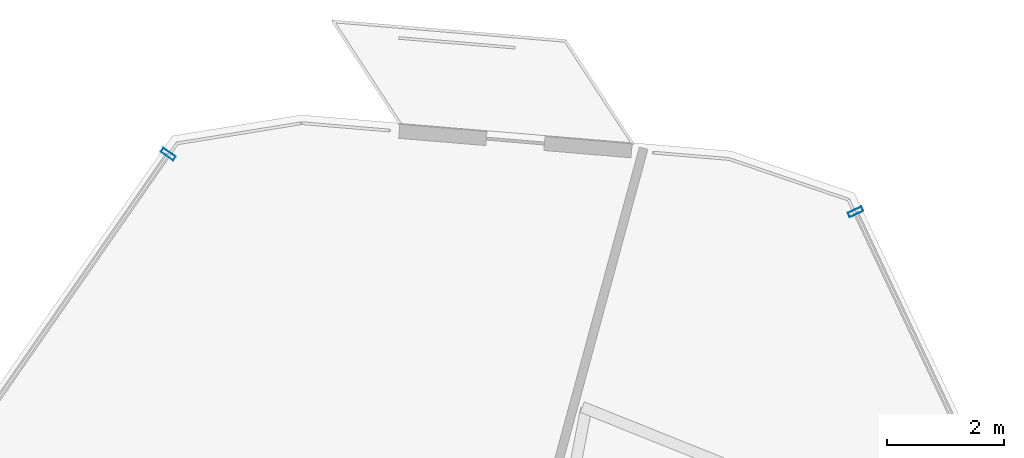
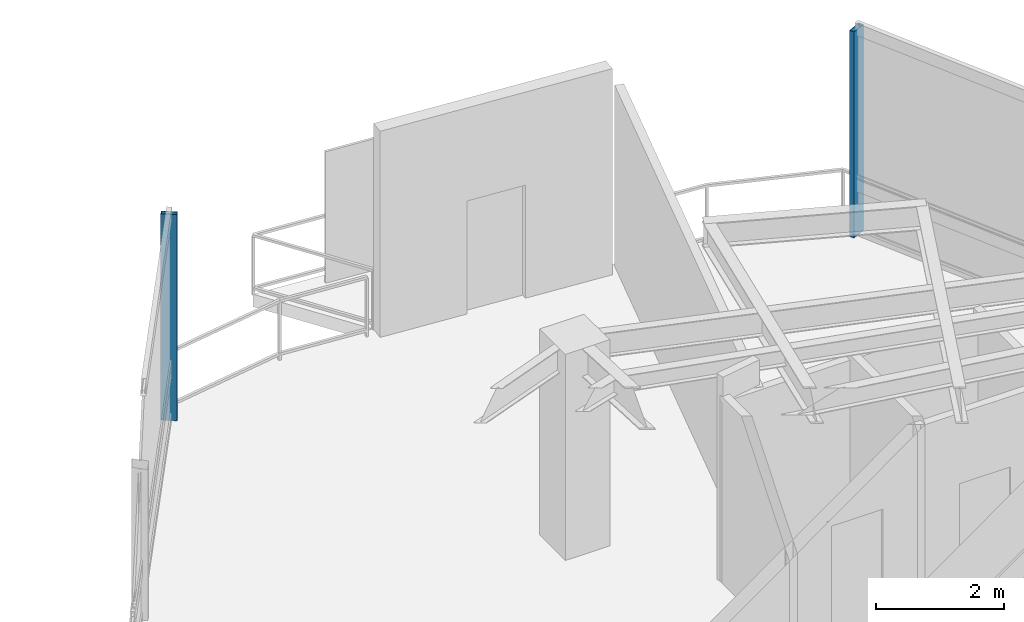
# One storey, part 13 of 19: 2 members, 2 elements without a shape of their own.
"""IFC4 building model written with IfcOpenShell, lengths in metres."""

from ifc_helpers import new_model, si_unit, direction, frame, origin, origin_2d, place, context, subcontext, project, spatial, hollow_rectangle, extrude, material, layer, layer_set, material_profile, profile_set, type_object, element, aggregate, save


model = new_model("IFC4")

# Units and contexts
model_context = context("Model", 3, precision=1e-05, world=origin(), true_north=direction((0.0, 1.0)))
body_context = subcontext(model_context, "Body", "Model", "MODEL_VIEW")
ifc_project = project(units=[si_unit("LENGTHUNIT", "METRE"), si_unit("AREAUNIT", "SQUARE_METRE"), si_unit("VOLUMEUNIT", "CUBIC_METRE"), si_unit("PLANEANGLEUNIT", "RADIAN"), si_unit("MASSUNIT", "GRAM", prefix="KILO")], contexts=[model_context])

# Site, building, storey
site_placement = place(None, origin())
site = spatial("IfcSite", under=ifc_project, at=site_placement, CompositionType="ELEMENT")
building_placement = place(site_placement, origin())
building = spatial("IfcBuilding", under=site, at=building_placement, Name="Qarnah Convention Tower", CompositionType="ELEMENT")
storey_placement = place(building_placement, frame((0.0, 0.0, 275.10009765625)))
storey = spatial("IfcBuildingStorey", under=building, at=storey_placement, Name="L74", CompositionType="ELEMENT", Elevation=275.10009765625)

# Curtain wall, member
ifc_material_1 = material(Name="Tempered Low-E dark glass", Category="glass")
ifc_layer = layer(ifc_material_1, 0.177978515625)
ifc_layer_set = layer_set([ifc_layer], Name="Tempered Low-E dark glass")
curtain_wall_type = type_object("IfcCurtainWallType", Name="CWS-06", PredefinedType="NOTDEFINED", material=ifc_layer_set)
curtain_wall_1_placement = place(storey_placement, origin())
curtain_wall_1 = element("IfcCurtainWall", 1, at=curtain_wall_1_placement, inside=storey, type_object=curtain_wall_type, Name="L74 unitised curtain wall CW-L74-F1", PredefinedType="NOTDEFINED")
ifc_material_2 = material(Name="Black anodised aluminium", Category="aluminium")
ifc_material_profile = material_profile(ifc_material_2, hollow_rectangle(XDim=0.0849609375, YDim=0.260009765625, WallThickness=0.006103515625, at=origin_2d()), Name="MUL-85X260")
ifc_profile_set = profile_set([ifc_material_profile], Name="Black anodised aluminium")
member_type = type_object("IfcMemberType", Name="MUL-T6", PredefinedType="MULLION", material=ifc_profile_set)
member_1_placement = place(storey_placement, frame((44.697021484375, 44.968994140625, 0.0), z_axis=(0.0, 0.0, 1.0), x_axis=(0.425793504503, -0.904820364229, 0.0)))
member_1 = element("IfcMember", 2, at=member_1_placement, type_object=member_type, Name="CW-L74-F1 mullion 1", PredefinedType="MULLION", context=body_context, shape_type="SweptSolid", body=[
    extrude(hollow_rectangle(XDim=0.0849609375, YDim=0.260009765625, WallThickness=0.006103515625, at=origin_2d()), origin(), (0.0, 0.0, 1.0), 3.919921875),
])
aggregate(curtain_wall_1, [member_1])

curtain_wall_2_placement = place(storey_placement, origin())
curtain_wall_2 = element("IfcCurtainWall", 3, at=curtain_wall_2_placement, inside=storey, type_object=curtain_wall_type, Name="L74 unitised curtain wall CW-L74-F3", PredefinedType="NOTDEFINED")
member_2_placement = place(storey_placement, frame((32.904052734375, 45.958984375, 0.0), z_axis=(0.0, 0.0, 1.0), x_axis=(0.570722123713, 0.821143262473, 0.0)))
member_2 = element("IfcMember", 4, at=member_2_placement, type_object=member_type, Name="CW-L74-F3 mullion 6", PredefinedType="MULLION", context=body_context, shape_type="SweptSolid", body=[
    extrude(hollow_rectangle(XDim=0.0849609375, YDim=0.260009765625, WallThickness=0.006103515625, at=origin_2d()), origin(), (0.0, 0.0, 1.0), 3.919921875),
])
aggregate(curtain_wall_2, [member_2])

save(model, "model.ifc")
